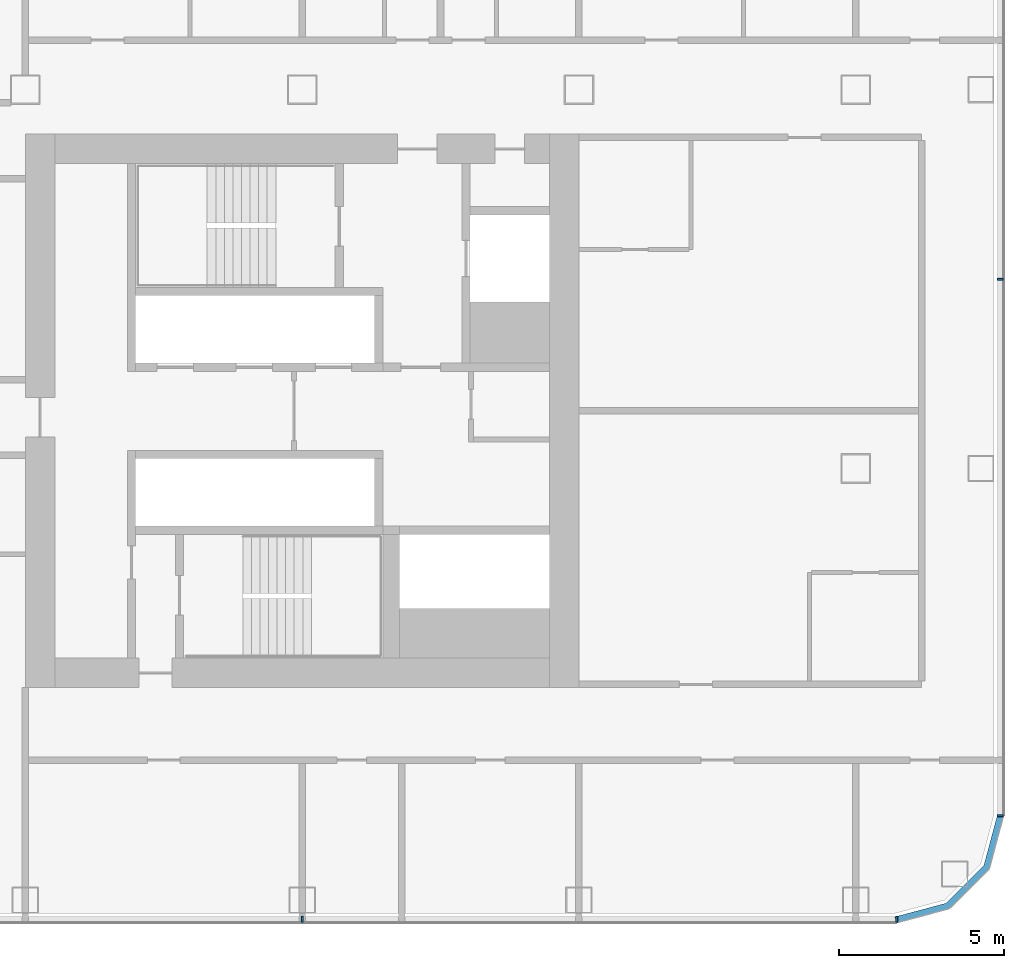
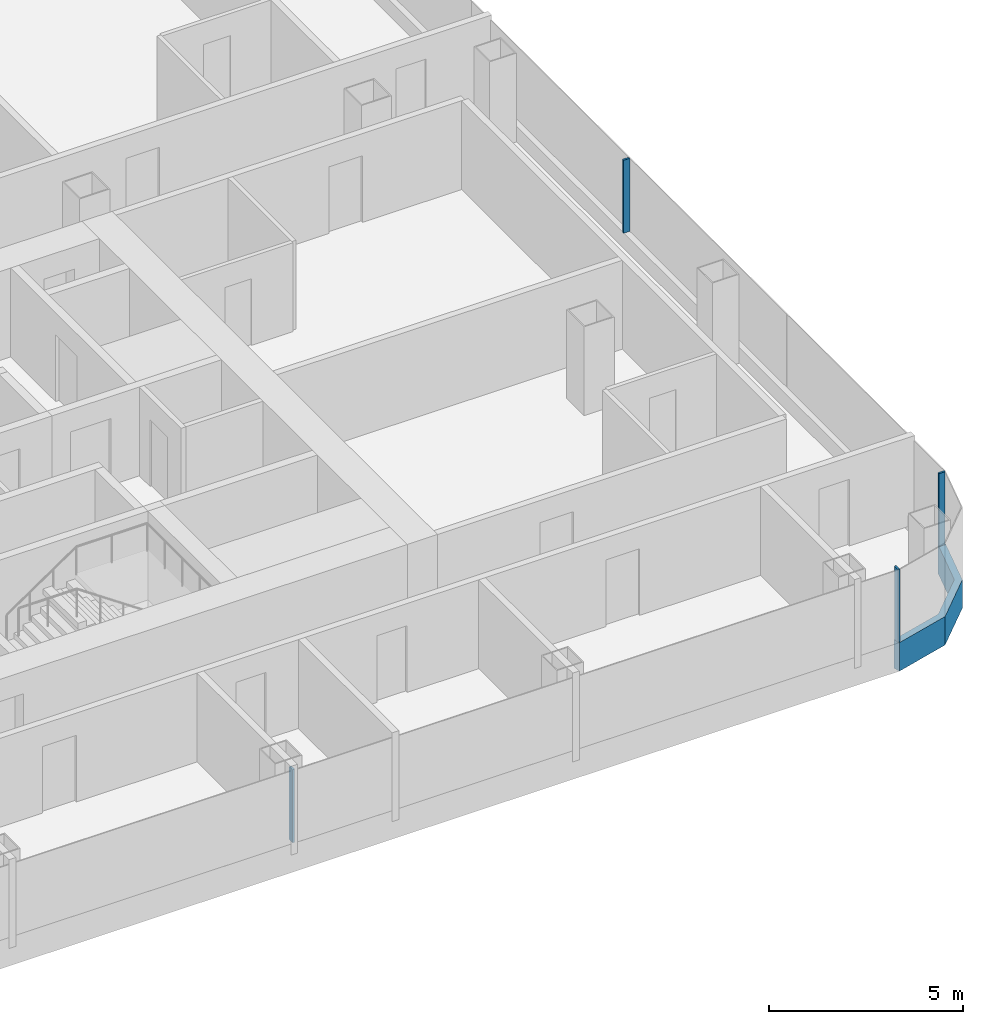
# One storey, part 11 of 29: 5 members, 3 elements without a shape of their own.
"""IFC4 building model written with IfcOpenShell, lengths in metres."""

from ifc_helpers import new_model, si_unit, direction, frame, origin, origin_2d, place, context, subcontext, project, spatial, polyline, rectangle, outline, extrude, material, layer, layer_set, material_profile, profile_set, type_object, element, aggregate, save


model = new_model("IFC4")

# Units and contexts
model_context = context("Model", 3, precision=1e-05, world=origin(), true_north=direction((0.0, 1.0)))
body_context = subcontext(model_context, "Body", "Model", "MODEL_VIEW")
ifc_project = project(units=[si_unit("LENGTHUNIT", "METRE"), si_unit("AREAUNIT", "SQUARE_METRE"), si_unit("VOLUMEUNIT", "CUBIC_METRE"), si_unit("PLANEANGLEUNIT", "RADIAN"), si_unit("MASSUNIT", "GRAM", prefix="KILO")], contexts=[model_context])

# Site, building, storey
site_placement = place(None, origin())
site = spatial("IfcSite", under=ifc_project, at=site_placement, CompositionType="ELEMENT")
building_placement = place(site_placement, origin())
building = spatial("IfcBuilding", under=site, at=building_placement, Name="Hakoniwa Tower and Hamabe Station Hall", CompositionType="ELEMENT")
storey_placement = place(building_placement, frame((0.0, 0.0, 113.800048828125)))
storey = spatial("IfcBuildingStorey", under=building, at=storey_placement, Name="L32", CompositionType="ELEMENT", Elevation=113.800048828125)

# Curtain wall, member
ifc_material_1 = material(Name="Dark low-e laminated glass", Category="glass")
ifc_layer = layer(ifc_material_1, 0.199951171875)
ifc_layer_set = layer_set([ifc_layer], Name="CW-1 UNITISED GUEST")
curtain_wall_type = type_object("IfcCurtainWallType", Name="CW-1 UNITISED GUEST", PredefinedType="NOTDEFINED", material=ifc_layer_set)
curtain_wall_1_placement = place(storey_placement, origin())
curtain_wall_1 = element("IfcCurtainWall", 1, at=curtain_wall_1_placement, inside=storey, type_object=curtain_wall_type, Name="CW-1 curtain wall", PredefinedType="NOTDEFINED")
ifc_material_2 = material(Name="Aluminium 6063-T5 black anodised", Category="aluminium")
ifc_material_profile_1 = material_profile(ifc_material_2, rectangle(XDim=0.199951171875, YDim=0.89990234375, at=origin_2d()), Name="CW SLAB-EDGE BAND 900X200")
ifc_profile_set_1 = profile_set([ifc_material_profile_1], Name="Aluminium 6063-T5 black anodised")
member_type_1 = type_object("IfcMemberType", Name="CW SLAB-EDGE BAND 900X200", PredefinedType="USERDEFINED", material=ifc_profile_set_1)
member_1_placement = place(storey_placement, frame((0.0, 0.0, -0.550048828125)))
member_1 = element("IfcMember", 2, at=member_1_placement, type_object=member_type_1, Name="CW-1 transom", ObjectType="TRANSOM", PredefinedType="USERDEFINED", context=body_context, shape_type="SweptSolid", body=[
    extrude(outline(polyline([(43.239501953125, -15.550048828125), (44.855224609375, -15.116943359375), (46.067138671875, -13.9052734375), (46.5, -12.28955078125), (46.306884765625, -12.23779296875), (45.8876953125, -13.8017578125), (44.751708984375, -14.937744140625), (43.187744140625, -15.35693359375), (43.239501953125, -15.550048828125)])), origin(), (0.0, 0.0, 1.0), 0.89990234375),
])
aggregate(curtain_wall_1, [member_1])

# Curtain wall, members
curtain_wall_2_placement = place(storey_placement, origin())
curtain_wall_2 = element("IfcCurtainWall", 3, at=curtain_wall_2_placement, inside=storey, type_object=curtain_wall_type, Name="CW-1 curtain wall", PredefinedType="NOTDEFINED")
ifc_material_3 = material(Name="Aluminium 6063-T5 black anodised", Category="aluminium")
ifc_material_profile_2 = material_profile(ifc_material_3, rectangle(XDim=0.06005859375, YDim=0.179931640625, at=origin_2d()), Name="CW-1 MULLION 60X180")
ifc_profile_set_2 = profile_set([ifc_material_profile_2], Name="Aluminium 6063-T5 black anodised")
member_type_2 = type_object("IfcMemberType", Name="CW-1 MULLION 60X180", PredefinedType="MULLION", material=ifc_profile_set_2)
member_2_placement = place(storey_placement, frame((46.382080078125, -12.28955078125, 0.349853515625), z_axis=(0.0, 0.0, 1.0), x_axis=(0.0, 1.0, 0.0)))
member_2 = element("IfcMember", 4, at=member_2_placement, type_object=member_type_2, Name="CW-1 mullion", PredefinedType="MULLION", context=body_context, shape_type="SweptSolid", body=[
    extrude(rectangle(XDim=0.06005859375, YDim=0.179931640625, at=origin_2d()), origin(), (0.0, 0.0, 1.0), 2.300048828125),
])
member_3_placement = place(storey_placement, frame((46.382080078125, 4.0, 0.349853515625), z_axis=(0.0, 0.0, 1.0), x_axis=(0.0, 1.0, 0.0)))
member_3 = element("IfcMember", 5, at=member_3_placement, type_object=member_type_2, Name="CW-1 mullion", PredefinedType="MULLION", context=body_context, shape_type="SweptSolid", body=[
    extrude(rectangle(XDim=0.06005859375, YDim=0.179931640625, at=origin_2d()), origin(), (0.0, 0.0, 1.0), 2.300048828125),
])
aggregate(curtain_wall_2, [member_2, member_3])

curtain_wall_3_placement = place(storey_placement, origin())
curtain_wall_3 = element("IfcCurtainWall", 6, at=curtain_wall_3_placement, inside=storey, type_object=curtain_wall_type, Name="CW-1 curtain wall", PredefinedType="NOTDEFINED")
member_4_placement = place(storey_placement, frame((25.199951171875, -15.431884765625, 0.349853515625), z_axis=(0.0, 0.0, 1.0), x_axis=(1.0, 0.0, 0.0)))
member_4 = element("IfcMember", 7, at=member_4_placement, type_object=member_type_2, Name="CW-1 mullion", PredefinedType="MULLION", context=body_context, shape_type="SweptSolid", body=[
    extrude(rectangle(XDim=0.06005859375, YDim=0.179931640625, at=origin_2d()), origin(), (0.0, 0.0, 1.0), 2.300048828125),
])
member_5_placement = place(storey_placement, frame((43.239501953125, -15.431884765625, 0.349853515625), z_axis=(0.0, 0.0, 1.0), x_axis=(1.0, 0.0, 0.0)))
member_5 = element("IfcMember", 8, at=member_5_placement, type_object=member_type_2, Name="CW-1 mullion", PredefinedType="MULLION", context=body_context, shape_type="SweptSolid", body=[
    extrude(rectangle(XDim=0.06005859375, YDim=0.179931640625, at=origin_2d()), origin(), (0.0, 0.0, 1.0), 2.300048828125),
])
aggregate(curtain_wall_3, [member_4, member_5])

save(model, "model.ifc")
